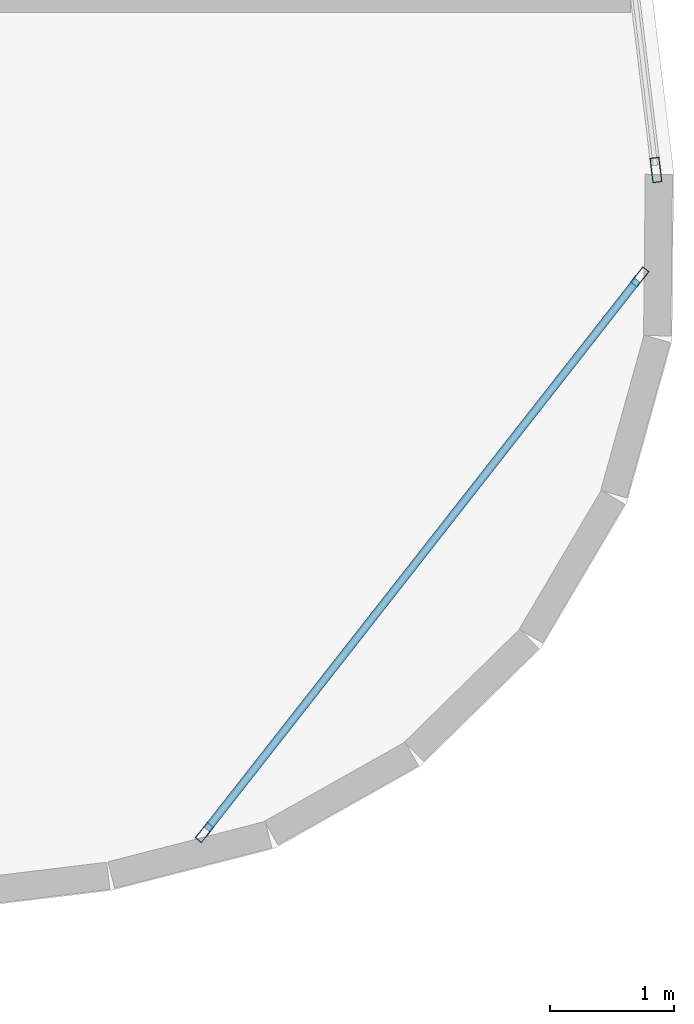
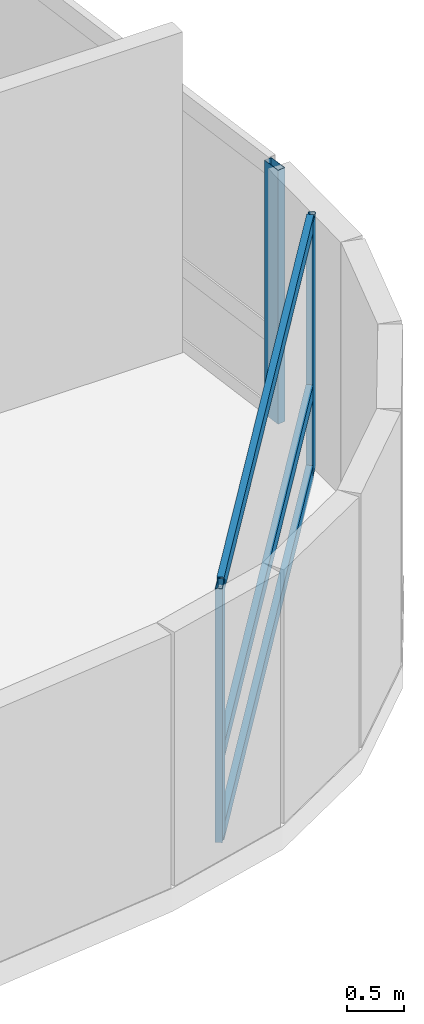
# One storey, part 10 of 23: 6 members, 2 elements without a shape of their own.
"""IFC4 building model written with IfcOpenShell, lengths in metres."""

import ifcopenshell
import ifcopenshell.guid

model = None  # the IFC model being written
_history = None  # IfcOwnerHistory: only IFC2X3 demands one
_inside = {}  # id of a spatial element -> (the spatial element, [elements in it])
_under = {}  # id of a project, library or spatial element -> (it, [spatial elements below it])
_declared = {}  # id of a project -> (the project, [libraries it declares])
_typed = {}  # id of a type object -> (the type object, [elements of that type])
_made_of = {}  # id of a material, layer set ... -> (it, [elements and type objects made of it])


def new_model(schema):
    """Start an empty IFC model of exactly this schema.

    Asked for "IFC4X3", IfcOpenShell would pick the latest addendum, in which some entities
    have other attributes; the version numbers below select the first issue.
    IFC2X3 requires an IfcOwnerHistory on every rooted entity: one is made here for all.
    """
    global model, _history
    if schema == "IFC4X3":
        model = ifcopenshell.file(schema_version=(4, 3, 0, 0))
    else:
        model = ifcopenshell.file(schema=schema)
    _inside.clear()
    _under.clear()
    _declared.clear()
    _typed.clear()
    _made_of.clear()
    _history = None
    if model.schema == "IFC2X3":
        org = make("IfcOrganization", Name="unknown")
        user = make(
            "IfcPersonAndOrganization",
            ThePerson=make("IfcPerson", FamilyName="unknown"),
            TheOrganization=org,
        )
        app = make(
            "IfcApplication",
            ApplicationDeveloper=org,
            Version="unknown",
            ApplicationFullName="unknown",
            ApplicationIdentifier="unknown",
        )
        _history = make(
            "IfcOwnerHistory",
            OwningUser=user,
            OwningApplication=app,
            ChangeAction="ADDED",
            CreationDate=0,
        )
    return model


def make(cls, **values):
    """One entity of the class cls with the attributes given. An attribute that is None is left unset."""
    return model.create_entity(
        cls, **{name: value for name, value in values.items() if value is not None}
    )


def rooted(cls, **values):
    """An entity with a GlobalId (a new one), such as an element, a storey or a relation."""
    return make(cls, GlobalId=ifcopenshell.guid.new(), OwnerHistory=_history, **values)


def si_unit(unit_type, name, prefix=None):
    """IfcSIUnit, for example si_unit("LENGTHUNIT", "METRE", prefix="MILLI")."""
    return make("IfcSIUnit", UnitType=unit_type, Prefix=prefix, Name=name)


def assignment(units):
    """IfcUnitAssignment: the units of a project."""
    return None if units is None else make("IfcUnitAssignment", Units=units)


def point(xyz):
    """IfcCartesianPoint."""
    return None if xyz is None else make("IfcCartesianPoint", Coordinates=xyz)


def direction(xyz):
    """IfcDirection."""
    return None if xyz is None else make("IfcDirection", DirectionRatios=xyz)


def frame(location, z_axis=None, x_axis=None):
    """IfcAxis2Placement3D, a coordinate frame: its origin and axes. An axis left out is left unset."""
    return make(
        "IfcAxis2Placement3D",
        Location=point(location),
        Axis=direction(z_axis),
        RefDirection=direction(x_axis),
    )


def frame_2d(location, x_axis=None):
    """IfcAxis2Placement2D, a coordinate frame in the plane: its origin and x axis."""
    return make(
        "IfcAxis2Placement2D", Location=point(location), RefDirection=direction(x_axis)
    )


def origin():
    """The frame at (0, 0, 0) with its axes left unset."""
    return frame((0.0, 0.0, 0.0))


def origin_2d():
    """The frame at (0, 0) in the plane with its x axis left unset."""
    return frame_2d((0.0, 0.0))


def place(relative_to, where):
    """IfcLocalPlacement: puts the frame where relative to a parent placement (None: the world)."""
    return make(
        "IfcLocalPlacement", PlacementRelTo=relative_to, RelativePlacement=where
    )


def context(
    kind, dimensions, precision=None, world=None, true_north=None, identifier=None
):
    """IfcGeometricRepresentationContext, for example the 3D "Model" context."""
    return make(
        "IfcGeometricRepresentationContext",
        ContextIdentifier=identifier,
        ContextType=kind,
        CoordinateSpaceDimension=dimensions,
        Precision=precision,
        WorldCoordinateSystem=world,
        TrueNorth=true_north,
    )


def subcontext(parent, identifier, kind, view, scale=None):
    """IfcGeometricRepresentationSubContext, for example "Body" below "Model"."""
    return make(
        "IfcGeometricRepresentationSubContext",
        ContextIdentifier=identifier,
        ContextType=kind,
        ParentContext=parent,
        TargetScale=scale,
        TargetView=view,
    )


def project(units=None, contexts=None):
    """IfcProject with its units and contexts."""
    return rooted(
        "IfcProject",
        Name="project",
        RepresentationContexts=contexts,
        UnitsInContext=assignment(units),
    )


def spatial(cls, under=None, at=None, **own):
    """A site, building, storey or space (cls), placed at a placement, below another one or the project."""
    s = rooted(cls, ObjectPlacement=at, **own)
    if under is not None:
        _under.setdefault(under.id(), (under, []))[1].append(s)
    return s


def profile(cls, at=None, kind="AREA", **sizes):
    """A parametric profile (cls). Its sizes go by their IFC names, for example OverallWidth=200.0."""
    return make(cls, ProfileType=kind, Position=at, **sizes)


def hollow_rectangle(**sizes):
    """IfcRectangleHollowProfileDef."""
    return profile("IfcRectangleHollowProfileDef", **sizes)


def extrude(swept, where, along, depth):
    """IfcExtrudedAreaSolid: the profile swept, set in the frame where, extruded along a direction by depth."""
    return make(
        "IfcExtrudedAreaSolid",
        SweptArea=swept,
        Position=where,
        ExtrudedDirection=direction(along),
        Depth=depth,
    )


def shape(context_of_items, identifier, shape_type, items):
    """IfcShapeRepresentation: the items that make up one representation, for example the "Body"."""
    return make(
        "IfcShapeRepresentation",
        ContextOfItems=context_of_items,
        RepresentationIdentifier=identifier,
        RepresentationType=shape_type,
        Items=items,
    )


def material(Name=None, Category=None):
    """IfcMaterial."""
    return make("IfcMaterial", Name=Name, Category=Category)


def layer(
    of_material, thickness, ventilated=None, Name=None, Category=None, Priority=None
):
    """IfcMaterialLayer: one layer of a wall or slab, of a material (None: an air gap)."""
    return make(
        "IfcMaterialLayer",
        Material=of_material,
        LayerThickness=thickness,
        IsVentilated=ventilated,
        Name=Name,
        Category=Category,
        Priority=Priority,
    )


def layer_set(layers, Name=None):
    """IfcMaterialLayerSet."""
    return make("IfcMaterialLayerSet", MaterialLayers=layers, LayerSetName=Name)


def material_profile(
    of_material, cross_section, Name=None, Category=None, Priority=None
):
    """IfcMaterialProfile: a cross section and its material."""
    return make(
        "IfcMaterialProfile",
        Name=Name,
        Material=of_material,
        Profile=cross_section,
        Priority=Priority,
        Category=Category,
    )


def profile_set(profiles, Name=None, composite=None):
    """IfcMaterialProfileSet."""
    return make(
        "IfcMaterialProfileSet",
        Name=Name,
        MaterialProfiles=profiles,
        CompositeProfile=composite,
    )


def made_of(thing, what):
    """Note that an element or type object is made of a material, layer set ...; save() writes the relation."""
    if what is not None:
        _made_of.setdefault(what.id(), (what, []))[1].append(thing)
    return thing


def type_object(cls, material=None, **own):
    """A type object (cls), such as IfcWallType, which elements share."""
    return made_of(rooted(cls, **own), material)


def element(
    cls,
    number,
    at=None,
    inside=None,
    cuts=None,
    type_object=None,
    material=None,
    context=None,
    identifier="Body",
    shape_type=None,
    held_by="IfcProductDefinitionShape",
    body=None,
    shapes=None,
    **own,
):
    """One element of the class cls, such as IfcWall. Its Tag is "e" and its number.

    at: its placement. inside: the storey or other place that contains it. cuts: it is an
    opening in that element (IfcRelVoidsElement). A single representation is given by context,
    identifier, shape_type and body (its items); several are given by shapes. held_by: the class
    of the entity that holds the representations. save() writes the other relations.
    """
    e = rooted(cls, Tag="e%d" % number, ObjectPlacement=at, **own)
    if body is not None:
        shapes = [shape(context, identifier, shape_type, body)]
    if shapes is not None:
        e.Representation = make(held_by, Representations=shapes)
    if inside is not None:
        _inside.setdefault(inside.id(), (inside, []))[1].append(e)
    if cuts is not None:
        rooted(
            "IfcRelVoidsElement", RelatingBuildingElement=cuts, RelatedOpeningElement=e
        )
    if type_object is not None:
        _typed.setdefault(type_object.id(), (type_object, []))[1].append(e)
    return made_of(e, material)


def aggregate(whole, parts):
    """IfcRelAggregates: a whole, such as a stair, and the parts it consists of."""
    return rooted("IfcRelAggregates", RelatingObject=whole, RelatedObjects=parts)


def save(model, path):
    """Write the relations noted so far, then the file.

    IfcRelAggregates (storeys below a building ...), IfcRelContainedInSpatialStructure (elements
    in a storey), IfcRelDefinesByType, IfcRelAssociatesMaterial and IfcRelDeclares: one each for
    every whole, place, type object, material and project.
    """
    for whole, parts in _under.values():
        aggregate(whole, parts)
    for where, things in _inside.values():
        rooted(
            "IfcRelContainedInSpatialStructure",
            RelatedElements=things,
            RelatingStructure=where,
        )
    for kind, things in _typed.values():
        rooted("IfcRelDefinesByType", RelatedObjects=things, RelatingType=kind)
    for what, things in _made_of.values():
        rooted("IfcRelAssociatesMaterial", RelatedObjects=things, RelatingMaterial=what)
    for by, libraries in _declared.values():
        rooted("IfcRelDeclares", RelatingContext=by, RelatedDefinitions=libraries)
    model.write(path)


model = new_model("IFC4")

# Units and contexts
model_context = context("Model", 3, precision=1e-05, world=origin(), true_north=direction((0.0, 1.0)))
body_context = subcontext(model_context, "Body", "Model", "MODEL_VIEW")
ifc_project = project(units=[si_unit("LENGTHUNIT", "METRE"), si_unit("AREAUNIT", "SQUARE_METRE"), si_unit("VOLUMEUNIT", "CUBIC_METRE"), si_unit("PLANEANGLEUNIT", "RADIAN"), si_unit("MASSUNIT", "GRAM", prefix="KILO")], contexts=[model_context])

# Site, building, storey
site_placement = place(None, origin())
site = spatial("IfcSite", under=ifc_project, at=site_placement, CompositionType="ELEMENT")
building_placement = place(site_placement, origin())
building = spatial("IfcBuilding", under=site, at=building_placement, Name="Varnelok Gate Tower", CompositionType="ELEMENT")
storey_placement = place(building_placement, frame((0.0, 0.0, 182.0)))
storey = spatial("IfcBuildingStorey", under=building, at=storey_placement, Name="L46", CompositionType="ELEMENT", Elevation=182.0)

# Curtain wall, members
ifc_material = material(Name="Anodized Aluminum Alloy 6063-T6", Category="aluminium")
ifc_layer_1 = layer(ifc_material, 0.179931640625)
ifc_layer_set_1 = layer_set([ifc_layer_1], Name="Anodized Aluminum Alloy 6063-T6")
curtain_wall_type_1 = type_object("IfcCurtainWallType", Name="CW5-WINDCORNER-GLAZ", PredefinedType="USERDEFINED", material=ifc_layer_set_1)
curtain_wall_1_placement = place(storey_placement, origin())
curtain_wall_1 = element("IfcCurtainWall", 1, at=curtain_wall_1_placement, inside=storey, type_object=curtain_wall_type_1, Name="L46 Wind-Shaped Corner Curtain Wall SE", ObjectType="STRUCTURAL GLAZING", PredefinedType="USERDEFINED")
ifc_material_profile_1 = material_profile(ifc_material, hollow_rectangle(XDim=0.06494140625, YDim=0.159912109375, WallThickness=0.00390625, at=origin_2d()), Name="ALU160X65X4")
ifc_profile_set_1 = profile_set([ifc_material_profile_1], Name="Anodized Aluminum Alloy 6063-T6")
member_type_1 = type_object("IfcMemberType", Name="CW-MULL-160", PredefinedType="MULLION", material=ifc_profile_set_1)
member_1_placement = place(storey_placement, frame((72.468994140625, 7.6484375, 0.0), z_axis=(0.0, 0.0, 1.0), x_axis=(-0.787064122397, 0.616871191769, 0.0)))
member_1 = element("IfcMember", 2, at=member_1_placement, type_object=member_type_1, Name="CW5 mullion 1", PredefinedType="MULLION", context=body_context, shape_type="SweptSolid", body=[
    extrude(hollow_rectangle(XDim=0.06494140625, YDim=0.159912109375, WallThickness=0.00390625, at=origin_2d()), origin(), (0.0, 0.0, 1.0), 2.72998046875),
])
member_2_placement = place(storey_placement, frame((75.9794921875, 12.12744140625, 0.0), z_axis=(0.0, 0.0, 1.0), x_axis=(-0.787064122397, 0.616871191769, 0.0)))
member_2 = element("IfcMember", 3, at=member_2_placement, type_object=member_type_1, Name="CW5 mullion 2", PredefinedType="MULLION", context=body_context, shape_type="SweptSolid", body=[
    extrude(hollow_rectangle(XDim=0.06494140625, YDim=0.159912109375, WallThickness=0.00390625, at=origin_2d()), origin(), (0.0, 0.0, 1.0), 2.72998046875),
])

# Curtain wall, member
ifc_layer_2 = layer(ifc_material, 0.179931640625)
ifc_layer_set_2 = layer_set([ifc_layer_2], Name="Anodized Aluminum Alloy 6063-T6")
curtain_wall_type_2 = type_object("IfcCurtainWallType", Name="CW4-RESIDENCE-VISION", PredefinedType="USERDEFINED", material=ifc_layer_set_2)
curtain_wall_2_placement = place(storey_placement, origin())
curtain_wall_2 = element("IfcCurtainWall", 4, at=curtain_wall_2_placement, inside=storey, type_object=curtain_wall_type_2, Name="L46 East End Vision Curtain Wall", ObjectType="UNITISED CURTAIN WALL", PredefinedType="USERDEFINED")
ifc_material_profile_2 = material_profile(ifc_material, hollow_rectangle(XDim=0.074951171875, YDim=0.199951171875, WallThickness=0.00390625, at=origin_2d()), Name="ALU200X75X4")
ifc_profile_set_2 = profile_set([ifc_material_profile_2], Name="Anodized Aluminum Alloy 6063-T6")
member_type_2 = type_object("IfcMemberType", Name="CW-MULL-200", PredefinedType="MULLION", material=ifc_profile_set_2)
member_3_placement = place(storey_placement, frame((76.109619140625, 12.989990234375, 0.0), z_axis=(0.0, 0.0, 1.0), x_axis=(0.992732188751, 0.120344511371, 0.0)))
member_3 = element("IfcMember", 5, at=member_3_placement, type_object=member_type_2, Name="CW4 mullion 6", PredefinedType="MULLION", context=body_context, shape_type="SweptSolid", body=[
    extrude(hollow_rectangle(XDim=0.074951171875, YDim=0.199951171875, WallThickness=0.00390625, at=origin_2d()), origin(), (0.0, 0.0, 1.0), 2.72998046875),
])
aggregate(curtain_wall_2, [member_3])

# Member
ifc_material_profile_3 = material_profile(ifc_material, hollow_rectangle(XDim=0.06494140625, YDim=0.159912109375, WallThickness=0.00390625, at=origin_2d()), Name="ALU160X65X4")
ifc_profile_set_3 = profile_set([ifc_material_profile_3], Name="Anodized Aluminum Alloy 6063-T6")
member_type_3 = type_object("IfcMemberType", Name="CW-TRAN-160", PredefinedType="USERDEFINED", material=ifc_profile_set_3)
member_4_placement = place(storey_placement, frame((72.489013671875, 7.674072265625, 0.032470703125), z_axis=(0.616868585551, 0.787066165046, 0.0), x_axis=(-0.787066165046, 0.616868585551, 0.0)))
member_4 = element("IfcMember", 6, at=member_4_placement, type_object=member_type_3, Name="CW5 transom 1.1", ObjectType="TRANSOM", PredefinedType="USERDEFINED", context=body_context, shape_type="SweptSolid", body=[
    extrude(hollow_rectangle(XDim=0.06494140625, YDim=0.159912109375, WallThickness=0.00390625, at=origin_2d()), origin(), (0.0, 0.0, 1.0), 5.6259765625),
])

member_5_placement = place(storey_placement, frame((72.489013671875, 7.674072265625, 0.89990234375), z_axis=(0.616868585551, 0.787066165046, 0.0), x_axis=(-0.787066165046, 0.616868585551, 0.0)))
member_5 = element("IfcMember", 7, at=member_5_placement, type_object=member_type_3, Name="CW5 transom 1.2", ObjectType="TRANSOM", PredefinedType="USERDEFINED", context=body_context, shape_type="SweptSolid", body=[
    extrude(hollow_rectangle(XDim=0.06494140625, YDim=0.159912109375, WallThickness=0.00390625, at=origin_2d()), origin(), (0.0, 0.0, 1.0), 5.6259765625),
])

member_6_placement = place(storey_placement, frame((72.489013671875, 7.674072265625, 2.697509765625), z_axis=(0.616868585551, 0.787066165046, 0.0), x_axis=(-0.787066165046, 0.616868585551, 0.0)))
member_6 = element("IfcMember", 8, at=member_6_placement, type_object=member_type_3, Name="CW5 transom 1.3", ObjectType="TRANSOM", PredefinedType="USERDEFINED", context=body_context, shape_type="SweptSolid", body=[
    extrude(hollow_rectangle(XDim=0.06494140625, YDim=0.159912109375, WallThickness=0.00390625, at=origin_2d()), origin(), (0.0, 0.0, 1.0), 5.6259765625),
])

aggregate(curtain_wall_1, [member_1, member_2, member_4, member_5, member_6])

save(model, "model.ifc")
